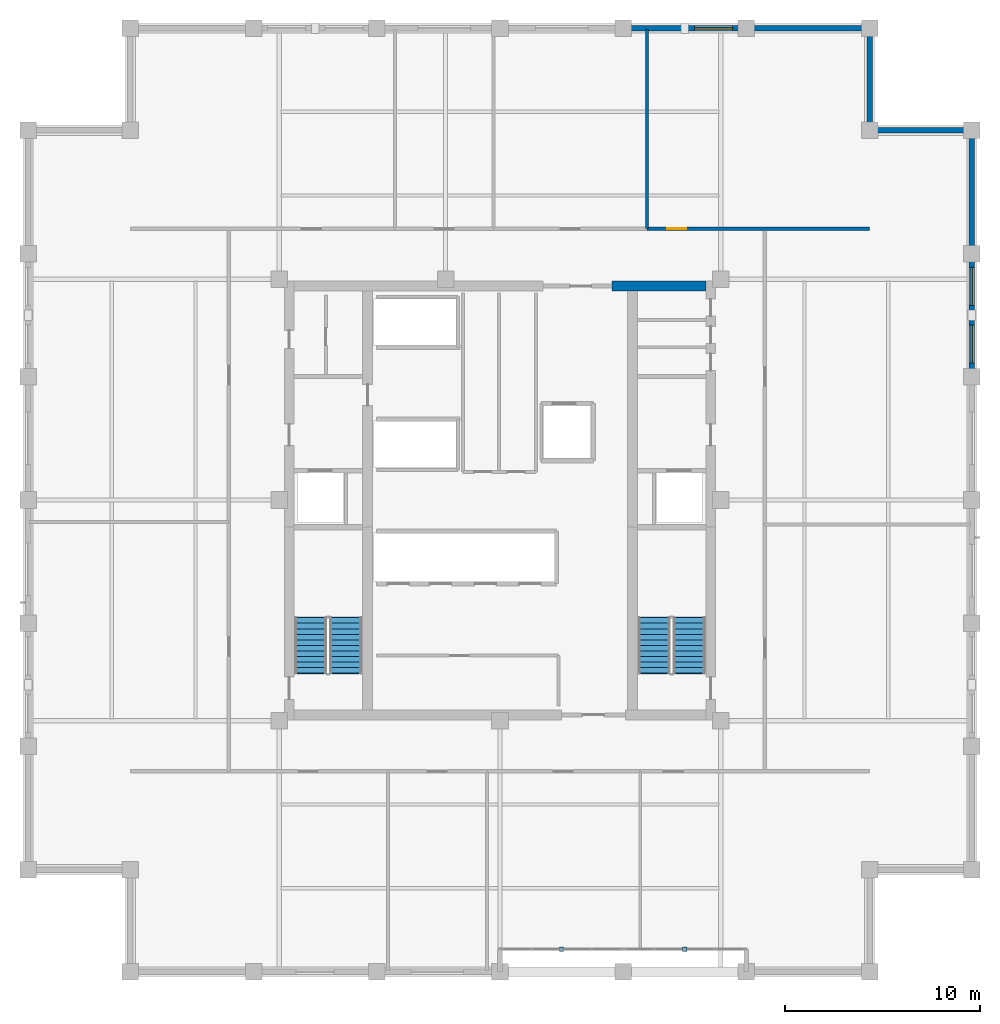
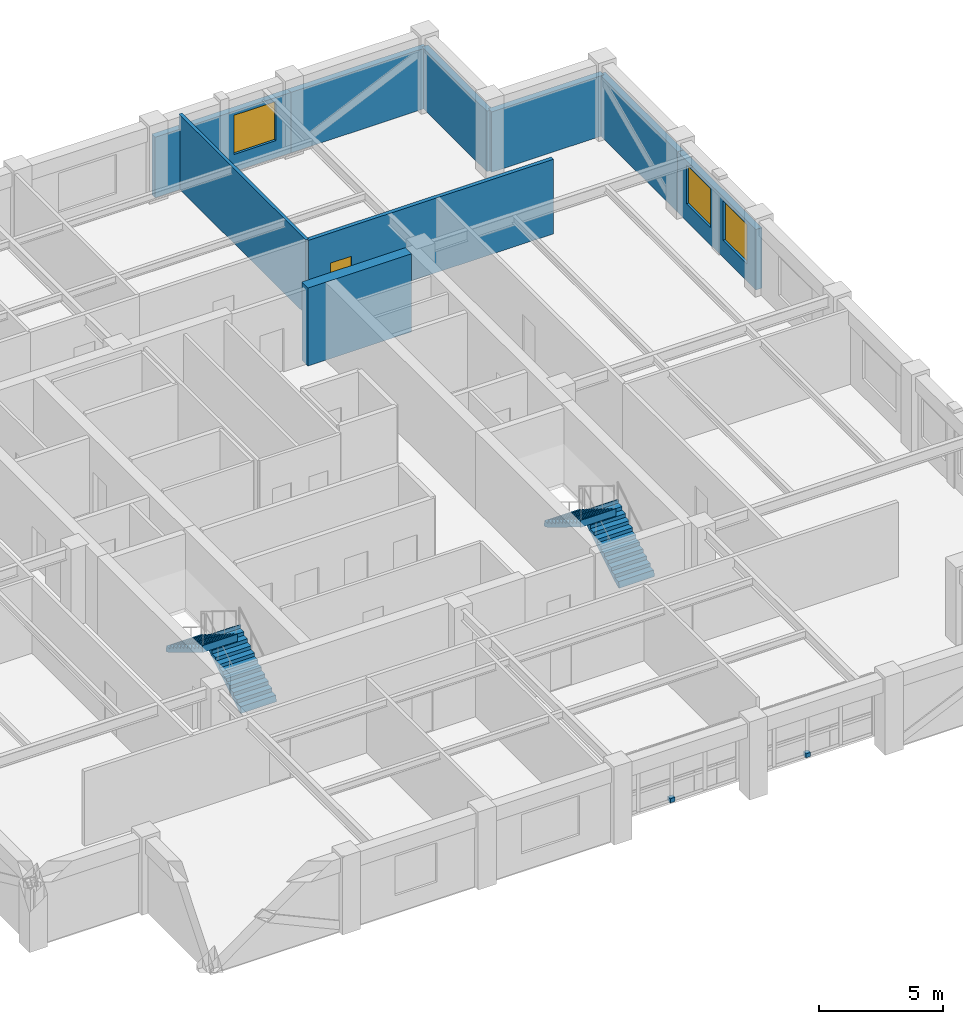
# One storey, part 12 of 13: 9 walls, 4 stair flights, 3 windows, 2 discrete accessories, 1 door, 4 openings, 2 elements without a shape of their own.
"""IFC4 building model written with IfcOpenShell, lengths in metres."""

from ifc_helpers import new_model, si_unit, direction, frame, frame_2d, origin, origin_2d, place, context, subcontext, project, spatial, polyline, rectangle, outline, extrude, material, layer, layer_set, type_object, element, fill, aggregate, save


model = new_model("IFC4")

# Units and contexts
model_context = context("Model", 3, precision=1e-05, world=origin(), true_north=direction((0.0, 1.0)))
body_context = subcontext(model_context, "Body", "Model", "MODEL_VIEW")
ifc_project = project(units=[si_unit("LENGTHUNIT", "METRE"), si_unit("AREAUNIT", "SQUARE_METRE"), si_unit("VOLUMEUNIT", "CUBIC_METRE"), si_unit("PLANEANGLEUNIT", "RADIAN"), si_unit("MASSUNIT", "GRAM", prefix="KILO")], contexts=[model_context])

# Site, building, storey
site_placement = place(None, origin())
site = spatial("IfcSite", under=ifc_project, at=site_placement, CompositionType="ELEMENT")
building_placement = place(site_placement, origin())
building = spatial("IfcBuilding", under=site, at=building_placement, Name="Nhamokura Convention Tower", CompositionType="ELEMENT")
storey_placement = place(building_placement, frame((0.0, 0.0, 206.14990234375)))
storey = spatial("IfcBuildingStorey", under=building, at=storey_placement, Name="L50", CompositionType="ELEMENT", Elevation=206.14990234375)

# Wall, opening, window
ifc_material_1 = material(Name="Bronze-pigmented precast concrete C45/55", Category="concrete")
ifc_layer_1 = layer(ifc_material_1, 0.280029296875)
ifc_layer_set_1 = layer_set([ifc_layer_1], Name="BronzePrecastSpandrel_280")
wall_type_1 = type_object("IfcWallType", Name="BronzePrecastSpandrel_280", PredefinedType="USERDEFINED", material=ifc_layer_set_1)
wall_1_placement = place(storey_placement, frame((38.333251953125, 56.25, 0.0), z_axis=(0.0, 0.0, 1.0), x_axis=(1.0, 0.0, 0.0)))
wall_1 = element("IfcWall", 1, at=wall_1_placement, inside=storey, type_object=wall_type_1, Name="L50 Masonry-Frame Wall NORTH 4", ObjectType="SPANDREL_WALL", PredefinedType="USERDEFINED", context=body_context, shape_type="SweptSolid", body=[
    extrude(rectangle(XDim=6.33349609375, YDim=0.280029296875, at=frame_2d((3.166748046875, 0.0))), origin(), (0.0, 0.0, 1.0), 2.985107421875),
])
opening_1_placement = place(wall_1_placement, frame((3.675048828125, 0.0, 0.85009765625)))
opening_1 = element("IfcOpeningElement", 2, at=opening_1_placement, cuts=wall_1, Name="Opening W-08", PredefinedType="OPENING", context=body_context, shape_type="SweptSolid", body=[
    extrude(rectangle(XDim=1.949951171875, YDim=1.93505859375, at=frame_2d((0.97509765625, 0.967529296875))), frame((0.0, 0.14990234375, 0.0), z_axis=(0.0, -1.0, 0.0), x_axis=(1.0, 0.0, 0.0)), (0.0, 0.0, 1.0), 0.300048828125),
])
ifc_material_2 = material(Name="Solar-control bronze low-E double glass", Category="glass")
window_type = type_object("IfcWindowType", Name="OfficeModuleWindow_Z3_1950", PartitioningType="SINGLE_PANEL", PredefinedType="WINDOW", material=ifc_material_2)
window_1_placement = place(opening_1_placement, origin())
window_1 = element("IfcWindow", 3, at=window_1_placement, inside=storey, type_object=window_type, Name="L50 Facade Window NORTH 4-3", OverallHeight=1.93505859375, OverallWidth=1.949951171875, PartitioningType="SINGLE_PANEL", PredefinedType="WINDOW", context=body_context, shape_type="SweptSolid", body=[
    extrude(rectangle(XDim=1.949951171875, YDim=1.93505859375, at=frame_2d((0.97509765625, 0.967529296875))), frame((0.0, 0.030029296875, 0.0), z_axis=(0.0, -1.0, 0.0), x_axis=(1.0, 0.0, 0.0)), (0.0, 0.0, 1.0), 0.06005859375),
])
fill(opening_1, window_1)

# Wall
wall_2_placement = place(storey_placement, frame((44.666748046875, 56.25, 0.0), z_axis=(0.0, 0.0, 1.0), x_axis=(1.0, 0.0, 0.0)))
element("IfcWall", 4, at=wall_2_placement, inside=storey, type_object=wall_type_1, Name="L50 Braced-Bay Precast Wall NORTH 5", ObjectType="SPANDREL_WALL", PredefinedType="USERDEFINED", context=body_context, shape_type="SweptSolid", body=[
    extrude(rectangle(XDim=6.333251953125, YDim=0.280029296875, at=frame_2d((3.16650390625, 0.0))), origin(), (0.0, 0.0, 1.0), 2.985107421875),
])

# Wall, openings, windows
wall_3_placement = place(storey_placement, frame((56.25, 44.666748046875, 0.0), z_axis=(0.0, 0.0, 1.0), x_axis=(0.0, -1.0, 0.0)))
wall_3 = element("IfcWall", 5, at=wall_3_placement, inside=storey, type_object=wall_type_1, Name="L50 Masonry-Frame Wall EAST 4", ObjectType="SPANDREL_WALL", PredefinedType="USERDEFINED", context=body_context, shape_type="SweptSolid", body=[
    extrude(rectangle(XDim=6.33349609375, YDim=0.280029296875, at=frame_2d((3.166748046875, 0.0))), origin(), (0.0, 0.0, 1.0), 2.985107421875),
])
opening_2_placement = place(wall_3_placement, frame((0.708251953125, 0.0, 0.85009765625)))
opening_2 = element("IfcOpeningElement", 6, at=opening_2_placement, cuts=wall_3, Name="Opening W-08", PredefinedType="OPENING", context=body_context, shape_type="SweptSolid", body=[
    extrude(rectangle(XDim=1.949951171875, YDim=1.93505859375, at=frame_2d((0.97509765625, 0.967529296875))), frame((0.0, 0.14990234375, 0.0), z_axis=(0.0, -1.0, 0.0), x_axis=(1.0, 0.0, 0.0)), (0.0, 0.0, 1.0), 0.300048828125),
])
opening_3_placement = place(wall_3_placement, frame((3.675048828125, 0.0, 0.85009765625)))
opening_3 = element("IfcOpeningElement", 7, at=opening_3_placement, cuts=wall_3, Name="Opening W-08", PredefinedType="OPENING", context=body_context, shape_type="SweptSolid", body=[
    extrude(rectangle(XDim=1.949951171875, YDim=1.93505859375, at=frame_2d((0.97509765625, 0.967529296875))), frame((0.0, 0.14990234375, 0.0), z_axis=(0.0, -1.0, 0.0), x_axis=(1.0, 0.0, 0.0)), (0.0, 0.0, 1.0), 0.300048828125),
])
window_2_placement = place(opening_2_placement, origin())
window_2 = element("IfcWindow", 8, at=window_2_placement, inside=storey, type_object=window_type, Name="L50 Facade Window EAST 4-1", OverallHeight=1.93505859375, OverallWidth=1.949951171875, PartitioningType="SINGLE_PANEL", PredefinedType="WINDOW", context=body_context, shape_type="SweptSolid", body=[
    extrude(rectangle(XDim=1.949951171875, YDim=1.93505859375, at=frame_2d((0.97509765625, 0.967529296875))), frame((0.0, 0.030029296875, 0.0), z_axis=(0.0, -1.0, 0.0), x_axis=(1.0, 0.0, 0.0)), (0.0, 0.0, 1.0), 0.06005859375),
])
fill(opening_2, window_2)
window_3_placement = place(opening_3_placement, origin())
window_3 = element("IfcWindow", 9, at=window_3_placement, inside=storey, type_object=window_type, Name="L50 Facade Window EAST 4-2", OverallHeight=1.93505859375, OverallWidth=1.949951171875, PartitioningType="SINGLE_PANEL", PredefinedType="WINDOW", context=body_context, shape_type="SweptSolid", body=[
    extrude(rectangle(XDim=1.949951171875, YDim=1.93505859375, at=frame_2d((0.97509765625, 0.967529296875))), frame((0.0, 0.030029296875, 0.0), z_axis=(0.0, -1.0, 0.0), x_axis=(1.0, 0.0, 0.0)), (0.0, 0.0, 1.0), 0.06005859375),
])
fill(opening_3, window_3)

# Walls
wall_4_placement = place(storey_placement, frame((56.25, 51.0, 0.0), z_axis=(0.0, 0.0, 1.0), x_axis=(0.0, -1.0, 0.0)))
element("IfcWall", 10, at=wall_4_placement, inside=storey, type_object=wall_type_1, Name="L50 Braced-Bay Precast Wall EAST 5", ObjectType="SPANDREL_WALL", PredefinedType="USERDEFINED", context=body_context, shape_type="SweptSolid", body=[
    extrude(rectangle(XDim=6.333251953125, YDim=0.280029296875, at=frame_2d((3.16650390625, 0.0))), origin(), (0.0, 0.0, 1.0), 2.985107421875),
])
for number, where, z_axis, x_axis, name in (
    (11, (51.0, 51.0, 0.0), (0.0, 0.0, 1.0), (1.0, 0.0, 0.0), "L50 Notched Corner Wall NE1"),
    (12, (51.0, 56.25, 0.0), (0.0, 0.0, 1.0), (0.0, -1.0, 0.0), "L50 Notched Corner Wall NE2"),
):
    element("IfcWall", number, at=place(storey_placement, frame(where, z_axis=z_axis, x_axis=x_axis)), inside=storey, type_object=wall_type_1, Name=name, ObjectType="SPANDREL_WALL", PredefinedType="USERDEFINED", context=body_context, shape_type="SweptSolid", body=[
        extrude(rectangle(XDim=5.25, YDim=0.280029296875, at=frame_2d((2.625, 0.0))), origin(), (0.0, 0.0, 1.0), 2.985107421875),
    ])
ifc_material_3 = material(Name="Concrete C60/75", Category="concrete")
ifc_layer_2 = layer(ifc_material_3, 0.5)
ifc_layer_set_2 = layer_set([ifc_layer_2], Name="CoreShearWall_500")
wall_type_2 = type_object("IfcWallType", Name="CoreShearWall_500", PredefinedType="SHEAR", material=ifc_layer_set_2)
wall_5_placement = place(storey_placement, frame((37.75, 43.0, 0.0), z_axis=(0.0, 0.0, 1.0), x_axis=(1.0, 0.0, 0.0)))
element("IfcWall", 13, at=wall_5_placement, inside=storey, type_object=wall_type_2, Name="L50 Core Shear Wall CW-N2", PredefinedType="SHEAR", context=body_context, shape_type="SweptSolid", body=[
    extrude(rectangle(XDim=4.840087890625, YDim=0.5, at=frame_2d((2.419921875, 0.0))), origin(), (0.0, 0.0, 1.0), 3.85009765625),
])

# Wall, opening, door
ifc_material_4 = material(Name="Fire-rated gypsum and masonry partition", Category="masonry")
ifc_layer_3 = layer(ifc_material_4, 0.179931640625)
ifc_layer_set_3 = layer_set([ifc_layer_3], Name="CorridorRatedWall_180")
wall_type_3 = type_object("IfcWallType", Name="CorridorRatedWall_180", PredefinedType="STANDARD", material=ifc_layer_set_3)
wall_6_placement = place(storey_placement, frame((39.558349609375, 45.949951171875, 0.0), z_axis=(0.0, 0.0, 1.0), x_axis=(1.0, 0.0, 0.0)))
wall_6 = element("IfcWall", 14, at=wall_6_placement, inside=storey, type_object=wall_type_3, Name="L50 Wall INT-L50-CW-N03", PredefinedType="STANDARD", context=body_context, shape_type="SweptSolid", body=[
    extrude(rectangle(XDim=11.441650390625, YDim=0.179931640625, at=frame_2d((5.720703125, 0.0))), origin(), (0.0, 0.0, 1.0), 3.68505859375),
])
opening_4_placement = place(wall_6_placement, frame((1.0458984375, 0.0, 0.0)))
opening_4 = element("IfcOpeningElement", 15, at=opening_4_placement, cuts=wall_6, Name="Opening D-08", PredefinedType="OPENING", context=body_context, shape_type="SweptSolid", body=[
    extrude(rectangle(XDim=0.97998046875, YDim=2.199951171875, at=frame_2d((0.489990234375, 1.10009765625))), frame((0.0, 0.099853515625, 0.0), z_axis=(0.0, -1.0, 0.0), x_axis=(1.0, 0.0, 0.0)), (0.0, 0.0, 1.0), 0.199951171875),
])
ifc_material_5 = material(Name="Solid oak hardwood", Category="wood")
door_type = type_object("IfcDoorType", Name="OfficeEntryDoor_980", OperationType="NOTDEFINED", PredefinedType="DOOR", material=ifc_material_5)
door_placement = place(opening_4_placement, origin())
door = element("IfcDoor", 16, at=door_placement, inside=storey, type_object=door_type, Name="L50 Private Office N04 Door", OperationType="SINGLE_SWING_RIGHT", OverallHeight=2.199951171875, OverallWidth=0.97998046875, PredefinedType="DOOR", context=body_context, shape_type="SweptSolid", body=[
    extrude(rectangle(XDim=0.97998046875, YDim=2.199951171875, at=frame_2d((0.489990234375, 1.10009765625))), frame((0.0, 0.02490234375, 0.0), z_axis=(0.0, -1.0, 0.0), x_axis=(1.0, 0.0, 0.0)), (0.0, 0.0, 1.0), 0.050048828125),
])
fill(opening_4, door)

# Wall
ifc_material_6 = material(Name="Acoustic gypsum stud partition", Category="masonry")
ifc_layer_4 = layer(ifc_material_6, 0.14990234375)
ifc_layer_set_4 = layer_set([ifc_layer_4], Name="InteriorPartition_150")
wall_type_4 = type_object("IfcWallType", Name="InteriorPartition_150", PredefinedType="STANDARD", material=ifc_layer_set_4)
wall_7_placement = place(storey_placement, frame((39.558349609375, 45.949951171875, 0.0), z_axis=(0.0, 0.0, 1.0), x_axis=(0.0, 1.0, 0.0)))
element("IfcWall", 17, at=wall_7_placement, inside=storey, type_object=wall_type_4, Name="L50 Wall INT-L50-RW-N03", PredefinedType="STANDARD", context=body_context, shape_type="SweptSolid", body=[
    extrude(rectangle(XDim=10.239990234375, YDim=0.14990234375, at=frame_2d((5.1201171875, 0.0))), origin(), (0.0, 0.0, 1.0), 3.68505859375),
])

# Stair, stair flights
ifc_material_7 = material(Name="Concrete C40/50", Category="concrete")
stair_type = type_object("IfcStairType", Name="TowerCoreStair_1650", PredefinedType="HALF_TURN_STAIR", material=ifc_material_7)
stair_1_placement = place(storey_placement, origin())
stair_1 = element("IfcStair", 18, at=stair_1_placement, inside=storey, type_object=stair_type, Name="L50 West Core Smokeproof Stair ST-01", PredefinedType="HALF_TURN_STAIR")
ifc_material_8 = material(Name="Concrete C40/50", Category="concrete")
stair_flight_type = type_object("IfcStairFlightType", Name="TowerCoreStair_1650_Flight", PredefinedType="STRAIGHT", material=ifc_material_8)
stair_flight_1_placement = place(storey_placement, frame((24.074951171875, 23.10009765625, 0.0), z_axis=(0.0, 0.0, 1.0), x_axis=(0.0, 1.0, 0.0)))
stair_flight_1 = element("IfcStairFlight", 19, at=stair_flight_1_placement, type_object=stair_flight_type, Name="ST-01 flight 1", NumberOfRisers=11, NumberOfTreads=10, PredefinedType="STRAIGHT", RiserHeight=0.175, TreadLength=0.285, context=body_context, shape_type="SweptSolid", body=[
    extrude(outline(polyline([(-0.0419921875, 0.0), (0.0, 0.175048828125), (0.284912109375, 0.175048828125), (0.284912109375, 0.35009765625), (0.570068359375, 0.35009765625), (0.570068359375, 0.52490234375), (0.85498046875, 0.52490234375), (0.85498046875, 0.699951171875), (1.139892578125, 0.699951171875), (1.139892578125, 0.875), (1.425048828125, 0.875), (1.425048828125, 1.050048828125), (1.7099609375, 1.050048828125), (1.7099609375, 1.22509765625), (1.9951171875, 1.22509765625), (1.9951171875, 1.39990234375), (2.280029296875, 1.39990234375), (2.280029296875, 1.574951171875), (2.56494140625, 1.574951171875), (2.56494140625, 1.75), (2.85009765625, 1.75), (2.85009765625, 1.925048828125), (2.89208984375, 1.925048828125), (2.89208984375, 1.573974609375), (2.85009765625, 1.573974609375), (0.286376953125, 0.0), (0.02001953125, -0.1298828125), (-0.0419921875, -0.1298828125), (-0.0419921875, 0.0)])), frame((0.0, 0.824951171875, 0.0), z_axis=(0.0, -1.0, 0.0), x_axis=(1.0, 0.0, 0.0)), (0.0, 0.0, 1.0), 1.64990234375),
])
stair_flight_2_placement = place(storey_placement, frame((22.27490234375, 25.949951171875, 1.925048828125), z_axis=(0.0, 0.0, 1.0), x_axis=(0.0, -1.0, 0.0)))
stair_flight_2 = element("IfcStairFlight", 20, at=stair_flight_2_placement, type_object=stair_flight_type, Name="ST-01 flight 2", NumberOfRisers=11, NumberOfTreads=10, PredefinedType="STRAIGHT", RiserHeight=0.175, TreadLength=0.285, context=body_context, shape_type="SweptSolid", body=[
    extrude(outline(polyline([(-0.0419921875, 0.0), (0.0, 0.175048828125), (0.284912109375, 0.175048828125), (0.284912109375, 0.35009765625), (0.570068359375, 0.35009765625), (0.570068359375, 0.52490234375), (0.85498046875, 0.52490234375), (0.85498046875, 0.699951171875), (1.139892578125, 0.699951171875), (1.139892578125, 0.875), (1.425048828125, 0.875), (1.425048828125, 1.050048828125), (1.7099609375, 1.050048828125), (1.7099609375, 1.22509765625), (1.9951171875, 1.22509765625), (1.9951171875, 1.39990234375), (2.280029296875, 1.39990234375), (2.280029296875, 1.574951171875), (2.56494140625, 1.574951171875), (2.56494140625, 1.75), (2.85009765625, 1.75), (2.85009765625, 1.925048828125), (2.89208984375, 1.925048828125), (2.89208984375, 1.573974609375), (2.85009765625, 1.573974609375), (0.286376953125, 0.0), (0.02001953125, -0.1298828125), (-0.0419921875, -0.1298828125), (-0.0419921875, 0.0)])), frame((0.0, 0.824951171875, 0.0), z_axis=(0.0, -1.0, 0.0), x_axis=(1.0, 0.0, 0.0)), (0.0, 0.0, 1.0), 1.64990234375),
])
aggregate(stair_1, [stair_flight_1, stair_flight_2])

stair_2_placement = place(storey_placement, origin())
stair_2 = element("IfcStair", 21, at=stair_2_placement, inside=storey, type_object=stair_type, Name="L50 East Core Smokeproof Stair ST-02", PredefinedType="HALF_TURN_STAIR")
stair_flight_3_placement = place(storey_placement, frame((41.72509765625, 23.10009765625, 0.0), z_axis=(0.0, 0.0, 1.0), x_axis=(0.0, 1.0, 0.0)))
stair_flight_3 = element("IfcStairFlight", 22, at=stair_flight_3_placement, type_object=stair_flight_type, Name="ST-02 flight 1", NumberOfRisers=11, NumberOfTreads=10, PredefinedType="STRAIGHT", RiserHeight=0.175, TreadLength=0.285, context=body_context, shape_type="SweptSolid", body=[
    extrude(outline(polyline([(-0.0419921875, 0.0), (0.0, 0.175048828125), (0.284912109375, 0.175048828125), (0.284912109375, 0.35009765625), (0.570068359375, 0.35009765625), (0.570068359375, 0.52490234375), (0.85498046875, 0.52490234375), (0.85498046875, 0.699951171875), (1.139892578125, 0.699951171875), (1.139892578125, 0.875), (1.425048828125, 0.875), (1.425048828125, 1.050048828125), (1.7099609375, 1.050048828125), (1.7099609375, 1.22509765625), (1.9951171875, 1.22509765625), (1.9951171875, 1.39990234375), (2.280029296875, 1.39990234375), (2.280029296875, 1.574951171875), (2.56494140625, 1.574951171875), (2.56494140625, 1.75), (2.85009765625, 1.75), (2.85009765625, 1.925048828125), (2.89208984375, 1.925048828125), (2.89208984375, 1.573974609375), (2.85009765625, 1.573974609375), (0.286376953125, 0.0), (0.02001953125, -0.1298828125), (-0.0419921875, -0.1298828125), (-0.0419921875, 0.0)])), frame((0.0, 0.824951171875, 0.0), z_axis=(0.0, -1.0, 0.0), x_axis=(1.0, 0.0, 0.0)), (0.0, 0.0, 1.0), 1.64990234375),
])
stair_flight_4_placement = place(storey_placement, frame((39.925048828125, 25.949951171875, 1.925048828125), z_axis=(0.0, 0.0, 1.0), x_axis=(0.0, -1.0, 0.0)))
stair_flight_4 = element("IfcStairFlight", 23, at=stair_flight_4_placement, type_object=stair_flight_type, Name="ST-02 flight 2", NumberOfRisers=11, NumberOfTreads=10, PredefinedType="STRAIGHT", RiserHeight=0.175, TreadLength=0.285, context=body_context, shape_type="SweptSolid", body=[
    extrude(outline(polyline([(-0.0419921875, 0.0), (0.0, 0.175048828125), (0.284912109375, 0.175048828125), (0.284912109375, 0.35009765625), (0.570068359375, 0.35009765625), (0.570068359375, 0.52490234375), (0.85498046875, 0.52490234375), (0.85498046875, 0.699951171875), (1.139892578125, 0.699951171875), (1.139892578125, 0.875), (1.425048828125, 0.875), (1.425048828125, 1.050048828125), (1.7099609375, 1.050048828125), (1.7099609375, 1.22509765625), (1.9951171875, 1.22509765625), (1.9951171875, 1.39990234375), (2.280029296875, 1.39990234375), (2.280029296875, 1.574951171875), (2.56494140625, 1.574951171875), (2.56494140625, 1.75), (2.85009765625, 1.75), (2.85009765625, 1.925048828125), (2.89208984375, 1.925048828125), (2.89208984375, 1.573974609375), (2.85009765625, 1.573974609375), (0.286376953125, 0.0), (0.02001953125, -0.1298828125), (-0.0419921875, -0.1298828125), (-0.0419921875, 0.0)])), frame((0.0, 0.824951171875, 0.0), z_axis=(0.0, -1.0, 0.0), x_axis=(1.0, 0.0, 0.0)), (0.0, 0.0, 1.0), 1.64990234375),
])
aggregate(stair_2, [stair_flight_3, stair_flight_4])

# Discrete accessories
ifc_material_9 = material(Name="Steel ASTM A572 Gr 50", Category="steel")
discrete_accessory_type = type_object("IfcDiscreteAccessoryType", Name="FacadeOutstandBracket", PredefinedType="BRACKET", material=ifc_material_9)
for number, where, z_axis, x_axis, name in (
    (24, (35.166748046875, 8.89990234375, -0.02001953125), (0.0, 0.0, 1.0), (1.0, 0.0, 0.0), "L50 Scale Slot Base Shoe Bracket SOUTH 3"),
    (25, (41.5, 8.89990234375, -0.02001953125), (0.0, 0.0, 1.0), (1.0, 0.0, 0.0), "L50 Scale Slot Base Shoe Bracket SOUTH 4"),
):
    element("IfcDiscreteAccessory", number, at=place(storey_placement, frame(where, z_axis=z_axis, x_axis=x_axis)), inside=storey, type_object=discrete_accessory_type, Name=name, PredefinedType="BRACKET", context=body_context, shape_type="SweptSolid", body=[
        extrude(rectangle(XDim=0.219970703125, YDim=0.219970703125, at=origin_2d()), origin(), (0.0, 0.0, 1.0), 0.199951171875),
    ])

save(model, "model.ifc")
